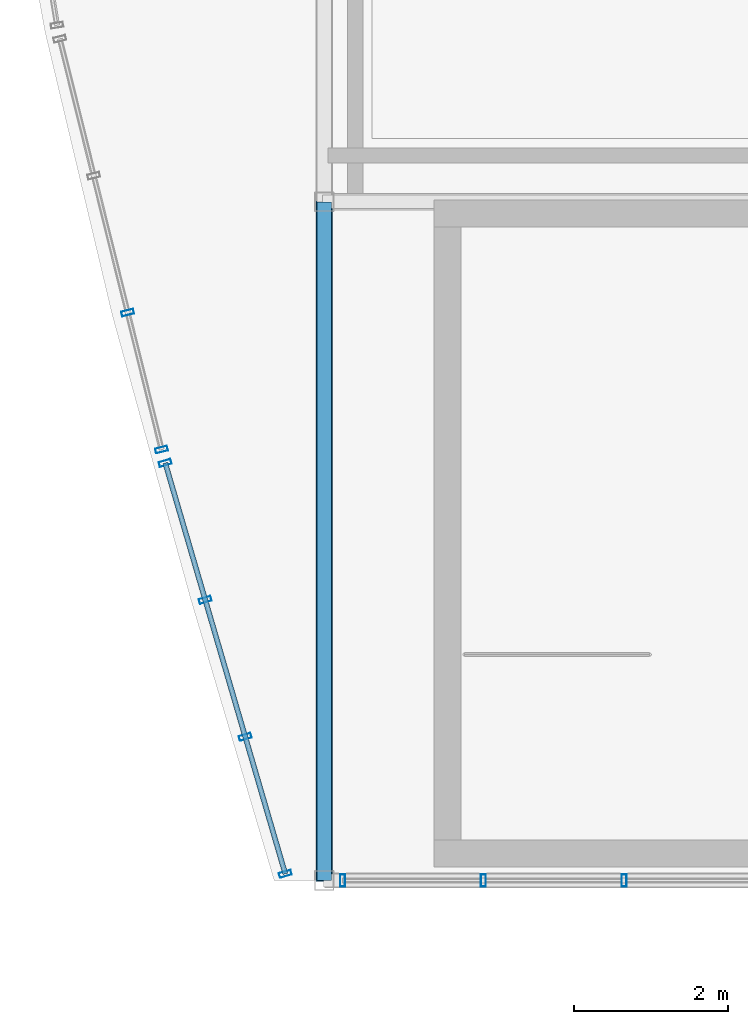
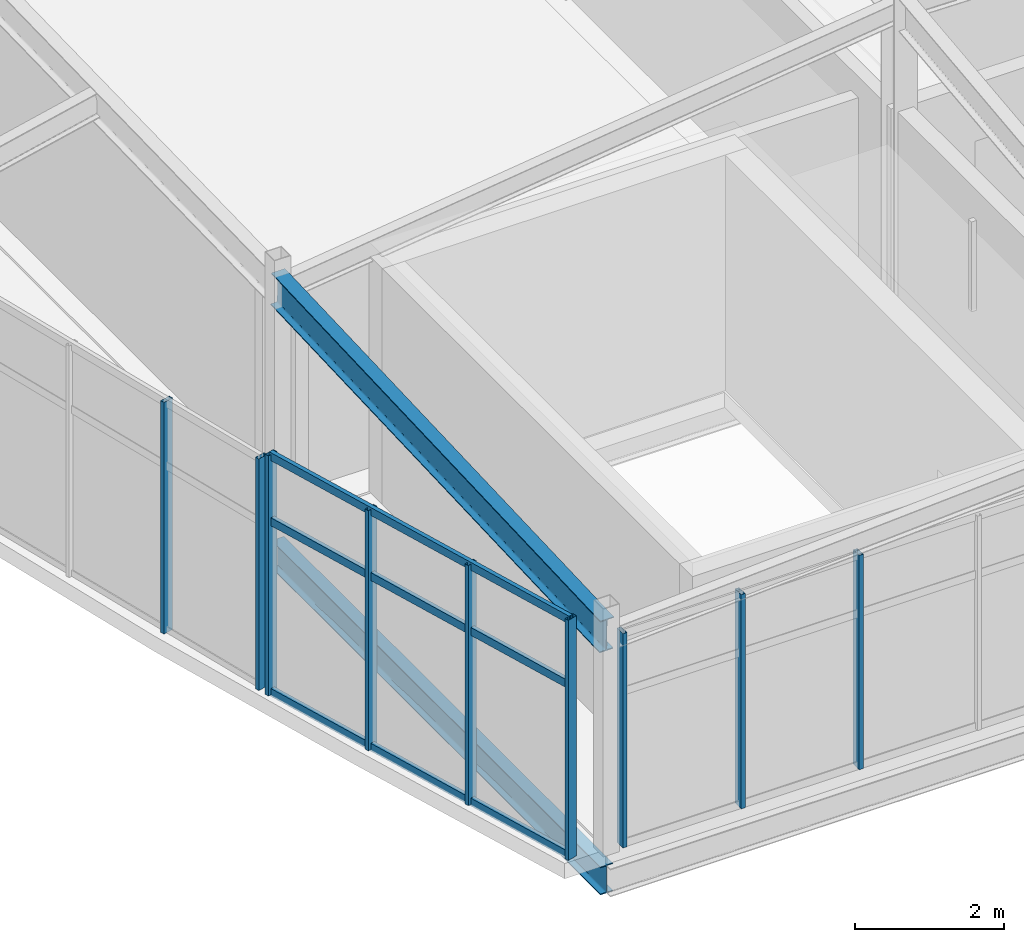
# One storey, part 15 of 114: 12 members, 2 beams, 3 elements without a shape of their own.
"""IFC4 building model written with IfcOpenShell, lengths in metres."""

import ifcopenshell
import ifcopenshell.guid

model = None  # the IFC model being written
_history = None  # IfcOwnerHistory: only IFC2X3 demands one
_inside = {}  # id of a spatial element -> (the spatial element, [elements in it])
_under = {}  # id of a project, library or spatial element -> (it, [spatial elements below it])
_declared = {}  # id of a project -> (the project, [libraries it declares])
_typed = {}  # id of a type object -> (the type object, [elements of that type])
_made_of = {}  # id of a material, layer set ... -> (it, [elements and type objects made of it])


def new_model(schema):
    """Start an empty IFC model of exactly this schema.

    Asked for "IFC4X3", IfcOpenShell would pick the latest addendum, in which some entities
    have other attributes; the version numbers below select the first issue.
    IFC2X3 requires an IfcOwnerHistory on every rooted entity: one is made here for all.
    """
    global model, _history
    if schema == "IFC4X3":
        model = ifcopenshell.file(schema_version=(4, 3, 0, 0))
    else:
        model = ifcopenshell.file(schema=schema)
    _inside.clear()
    _under.clear()
    _declared.clear()
    _typed.clear()
    _made_of.clear()
    _history = None
    if model.schema == "IFC2X3":
        org = make("IfcOrganization", Name="unknown")
        user = make(
            "IfcPersonAndOrganization",
            ThePerson=make("IfcPerson", FamilyName="unknown"),
            TheOrganization=org,
        )
        app = make(
            "IfcApplication",
            ApplicationDeveloper=org,
            Version="unknown",
            ApplicationFullName="unknown",
            ApplicationIdentifier="unknown",
        )
        _history = make(
            "IfcOwnerHistory",
            OwningUser=user,
            OwningApplication=app,
            ChangeAction="ADDED",
            CreationDate=0,
        )
    return model


def make(cls, **values):
    """One entity of the class cls with the attributes given. An attribute that is None is left unset."""
    return model.create_entity(
        cls, **{name: value for name, value in values.items() if value is not None}
    )


def rooted(cls, **values):
    """An entity with a GlobalId (a new one), such as an element, a storey or a relation."""
    return make(cls, GlobalId=ifcopenshell.guid.new(), OwnerHistory=_history, **values)


def si_unit(unit_type, name, prefix=None):
    """IfcSIUnit, for example si_unit("LENGTHUNIT", "METRE", prefix="MILLI")."""
    return make("IfcSIUnit", UnitType=unit_type, Prefix=prefix, Name=name)


def assignment(units):
    """IfcUnitAssignment: the units of a project."""
    return None if units is None else make("IfcUnitAssignment", Units=units)


def point(xyz):
    """IfcCartesianPoint."""
    return None if xyz is None else make("IfcCartesianPoint", Coordinates=xyz)


def direction(xyz):
    """IfcDirection."""
    return None if xyz is None else make("IfcDirection", DirectionRatios=xyz)


def frame(location, z_axis=None, x_axis=None):
    """IfcAxis2Placement3D, a coordinate frame: its origin and axes. An axis left out is left unset."""
    return make(
        "IfcAxis2Placement3D",
        Location=point(location),
        Axis=direction(z_axis),
        RefDirection=direction(x_axis),
    )


def frame_2d(location, x_axis=None):
    """IfcAxis2Placement2D, a coordinate frame in the plane: its origin and x axis."""
    return make(
        "IfcAxis2Placement2D", Location=point(location), RefDirection=direction(x_axis)
    )


def origin():
    """The frame at (0, 0, 0) with its axes left unset."""
    return frame((0.0, 0.0, 0.0))


def origin_2d():
    """The frame at (0, 0) in the plane with its x axis left unset."""
    return frame_2d((0.0, 0.0))


def place(relative_to, where):
    """IfcLocalPlacement: puts the frame where relative to a parent placement (None: the world)."""
    return make(
        "IfcLocalPlacement", PlacementRelTo=relative_to, RelativePlacement=where
    )


def context(
    kind, dimensions, precision=None, world=None, true_north=None, identifier=None
):
    """IfcGeometricRepresentationContext, for example the 3D "Model" context."""
    return make(
        "IfcGeometricRepresentationContext",
        ContextIdentifier=identifier,
        ContextType=kind,
        CoordinateSpaceDimension=dimensions,
        Precision=precision,
        WorldCoordinateSystem=world,
        TrueNorth=true_north,
    )


def subcontext(parent, identifier, kind, view, scale=None):
    """IfcGeometricRepresentationSubContext, for example "Body" below "Model"."""
    return make(
        "IfcGeometricRepresentationSubContext",
        ContextIdentifier=identifier,
        ContextType=kind,
        ParentContext=parent,
        TargetScale=scale,
        TargetView=view,
    )


def project(units=None, contexts=None):
    """IfcProject with its units and contexts."""
    return rooted(
        "IfcProject",
        Name="project",
        RepresentationContexts=contexts,
        UnitsInContext=assignment(units),
    )


def spatial(cls, under=None, at=None, **own):
    """A site, building, storey or space (cls), placed at a placement, below another one or the project."""
    s = rooted(cls, ObjectPlacement=at, **own)
    if under is not None:
        _under.setdefault(under.id(), (under, []))[1].append(s)
    return s


def profile(cls, at=None, kind="AREA", **sizes):
    """A parametric profile (cls). Its sizes go by their IFC names, for example OverallWidth=200.0."""
    return make(cls, ProfileType=kind, Position=at, **sizes)


def hollow_rectangle(**sizes):
    """IfcRectangleHollowProfileDef."""
    return profile("IfcRectangleHollowProfileDef", **sizes)


def i_section(**sizes):
    """IfcIShapeProfileDef."""
    return profile("IfcIShapeProfileDef", **sizes)


def extrude(swept, where, along, depth):
    """IfcExtrudedAreaSolid: the profile swept, set in the frame where, extruded along a direction by depth."""
    return make(
        "IfcExtrudedAreaSolid",
        SweptArea=swept,
        Position=where,
        ExtrudedDirection=direction(along),
        Depth=depth,
    )


def shape(context_of_items, identifier, shape_type, items):
    """IfcShapeRepresentation: the items that make up one representation, for example the "Body"."""
    return make(
        "IfcShapeRepresentation",
        ContextOfItems=context_of_items,
        RepresentationIdentifier=identifier,
        RepresentationType=shape_type,
        Items=items,
    )


def material(Name=None, Category=None):
    """IfcMaterial."""
    return make("IfcMaterial", Name=Name, Category=Category)


def layer(
    of_material, thickness, ventilated=None, Name=None, Category=None, Priority=None
):
    """IfcMaterialLayer: one layer of a wall or slab, of a material (None: an air gap)."""
    return make(
        "IfcMaterialLayer",
        Material=of_material,
        LayerThickness=thickness,
        IsVentilated=ventilated,
        Name=Name,
        Category=Category,
        Priority=Priority,
    )


def layer_set(layers, Name=None):
    """IfcMaterialLayerSet."""
    return make("IfcMaterialLayerSet", MaterialLayers=layers, LayerSetName=Name)


def material_profile(
    of_material, cross_section, Name=None, Category=None, Priority=None
):
    """IfcMaterialProfile: a cross section and its material."""
    return make(
        "IfcMaterialProfile",
        Name=Name,
        Material=of_material,
        Profile=cross_section,
        Priority=Priority,
        Category=Category,
    )


def profile_set(profiles, Name=None, composite=None):
    """IfcMaterialProfileSet."""
    return make(
        "IfcMaterialProfileSet",
        Name=Name,
        MaterialProfiles=profiles,
        CompositeProfile=composite,
    )


def made_of(thing, what):
    """Note that an element or type object is made of a material, layer set ...; save() writes the relation."""
    if what is not None:
        _made_of.setdefault(what.id(), (what, []))[1].append(thing)
    return thing


def type_object(cls, material=None, **own):
    """A type object (cls), such as IfcWallType, which elements share."""
    return made_of(rooted(cls, **own), material)


def element(
    cls,
    number,
    at=None,
    inside=None,
    cuts=None,
    type_object=None,
    material=None,
    context=None,
    identifier="Body",
    shape_type=None,
    held_by="IfcProductDefinitionShape",
    body=None,
    shapes=None,
    **own,
):
    """One element of the class cls, such as IfcWall. Its Tag is "e" and its number.

    at: its placement. inside: the storey or other place that contains it. cuts: it is an
    opening in that element (IfcRelVoidsElement). A single representation is given by context,
    identifier, shape_type and body (its items); several are given by shapes. held_by: the class
    of the entity that holds the representations. save() writes the other relations.
    """
    e = rooted(cls, Tag="e%d" % number, ObjectPlacement=at, **own)
    if body is not None:
        shapes = [shape(context, identifier, shape_type, body)]
    if shapes is not None:
        e.Representation = make(held_by, Representations=shapes)
    if inside is not None:
        _inside.setdefault(inside.id(), (inside, []))[1].append(e)
    if cuts is not None:
        rooted(
            "IfcRelVoidsElement", RelatingBuildingElement=cuts, RelatedOpeningElement=e
        )
    if type_object is not None:
        _typed.setdefault(type_object.id(), (type_object, []))[1].append(e)
    return made_of(e, material)


def aggregate(whole, parts):
    """IfcRelAggregates: a whole, such as a stair, and the parts it consists of."""
    return rooted("IfcRelAggregates", RelatingObject=whole, RelatedObjects=parts)


def save(model, path):
    """Write the relations noted so far, then the file.

    IfcRelAggregates (storeys below a building ...), IfcRelContainedInSpatialStructure (elements
    in a storey), IfcRelDefinesByType, IfcRelAssociatesMaterial and IfcRelDeclares: one each for
    every whole, place, type object, material and project.
    """
    for whole, parts in _under.values():
        aggregate(whole, parts)
    for where, things in _inside.values():
        rooted(
            "IfcRelContainedInSpatialStructure",
            RelatedElements=things,
            RelatingStructure=where,
        )
    for kind, things in _typed.values():
        rooted("IfcRelDefinesByType", RelatedObjects=things, RelatingType=kind)
    for what, things in _made_of.values():
        rooted("IfcRelAssociatesMaterial", RelatedObjects=things, RelatingMaterial=what)
    for by, libraries in _declared.values():
        rooted("IfcRelDeclares", RelatingContext=by, RelatedDefinitions=libraries)
    model.write(path)


model = new_model("IFC4")

# Units and contexts
model_context = context("Model", 3, precision=1e-05, world=origin(), true_north=direction((0.0, 1.0)))
body_context = subcontext(model_context, "Body", "Model", "MODEL_VIEW")
ifc_project = project(units=[si_unit("LENGTHUNIT", "METRE"), si_unit("AREAUNIT", "SQUARE_METRE"), si_unit("VOLUMEUNIT", "CUBIC_METRE"), si_unit("PLANEANGLEUNIT", "RADIAN"), si_unit("MASSUNIT", "GRAM", prefix="KILO")], contexts=[model_context])

# Site, building, storey
site_placement = place(None, origin())
site = spatial("IfcSite", under=ifc_project, at=site_placement, CompositionType="ELEMENT")
building_placement = place(site_placement, origin())
building = spatial("IfcBuilding", under=site, at=building_placement, Name="Chalmorin Arch Market", CompositionType="ELEMENT")
storey_placement = place(building_placement, frame((0.0, 0.0, 9.60009765625)))
storey = spatial("IfcBuildingStorey", under=building, at=storey_placement, Name="L02", CompositionType="ELEMENT", Elevation=9.60009765625)

# Curtain wall, members
ifc_material_1 = material(Name="Aluminium 6063-T6", Category="aluminium")
ifc_layer_1 = layer(ifc_material_1, 0.159912109375)
ifc_layer_set_1 = layer_set([ifc_layer_1], Name="Aluminium 6063-T6")
curtain_wall_type_1 = type_object("IfcCurtainWallType", Name="RiverfrontStorefrontCurtainWall-CW2-5550x3920", PredefinedType="NOTDEFINED", material=ifc_layer_set_1)
curtain_wall_1_placement = place(storey_placement, origin())
curtain_wall_1 = element("IfcCurtainWall", 1, at=curtain_wall_1_placement, inside=storey, type_object=curtain_wall_type_1, Name="CW-02-047", PredefinedType="NOTDEFINED")
ifc_material_profile_1 = material_profile(ifc_material_1, hollow_rectangle(XDim=0.06494140625, YDim=0.159912109375, WallThickness=0.00390625, at=origin_2d()), Name="ALU65X160X4")
ifc_profile_set_1 = profile_set([ifc_material_profile_1], Name="Aluminium 6063-T6")
member_type_1 = type_object("IfcMemberType", Name="CurtainWallMullion-65x160", PredefinedType="MULLION", material=ifc_profile_set_1)
member_1_placement = place(storey_placement, frame((-0.505126953125, 6.08642578125, 0.0), z_axis=(0.0, 0.0, 1.0), x_axis=(-0.275637355817, 0.961261695938, 0.0)))
member_1 = element("IfcMember", 2, at=member_1_placement, type_object=member_type_1, Name="ML-047-01", PredefinedType="MULLION", context=body_context, shape_type="SweptSolid", body=[
    extrude(hollow_rectangle(XDim=0.06494140625, YDim=0.159912109375, WallThickness=0.00390625, at=origin_2d()), origin(), (0.0, 0.0, 1.0), 3.9208984375),
])
member_2_placement = place(storey_placement, frame((-1.024169921875, 7.862060546875, 0.0), z_axis=(0.0, 0.0, 1.0), x_axis=(-0.275637355817, 0.961261695938, 0.0)))
member_2 = element("IfcMember", 3, at=member_2_placement, type_object=member_type_1, Name="ML-047-02", PredefinedType="MULLION", context=body_context, shape_type="SweptSolid", body=[
    extrude(hollow_rectangle(XDim=0.06494140625, YDim=0.159912109375, WallThickness=0.00390625, at=origin_2d()), origin(), (0.0, 0.0, 1.0), 3.9208984375),
])
member_3_placement = place(storey_placement, frame((-1.54296875, 9.637939453125, 0.0), z_axis=(0.0, 0.0, 1.0), x_axis=(-0.275637355817, 0.961261695938, 0.0)))
member_3 = element("IfcMember", 4, at=member_3_placement, type_object=member_type_1, Name="ML-047-03", PredefinedType="MULLION", context=body_context, shape_type="SweptSolid", body=[
    extrude(hollow_rectangle(XDim=0.06494140625, YDim=0.159912109375, WallThickness=0.00390625, at=origin_2d()), origin(), (0.0, 0.0, 1.0), 3.9208984375),
])
member_4_placement = place(storey_placement, frame((-2.061767578125, 11.41357421875, 0.0), z_axis=(0.0, 0.0, 1.0), x_axis=(-0.275637355817, 0.961261695938, 0.0)))
member_4 = element("IfcMember", 5, at=member_4_placement, type_object=member_type_1, Name="ML-047-04", PredefinedType="MULLION", context=body_context, shape_type="SweptSolid", body=[
    extrude(hollow_rectangle(XDim=0.06494140625, YDim=0.159912109375, WallThickness=0.00390625, at=origin_2d()), origin(), (0.0, 0.0, 1.0), 3.9208984375),
])

ifc_layer_2 = layer(ifc_material_1, 0.159912109375)
ifc_layer_set_2 = layer_set([ifc_layer_2], Name="Aluminium 6063-T6")
curtain_wall_type_2 = type_object("IfcCurtainWallType", Name="RiverfrontStorefrontCurtainWall-CW2-5490x3780", PredefinedType="NOTDEFINED", material=ifc_layer_set_2)
curtain_wall_2_placement = place(storey_placement, origin())
curtain_wall_2 = element("IfcCurtainWall", 6, at=curtain_wall_2_placement, inside=storey, type_object=curtain_wall_type_2, Name="CW-02-050", PredefinedType="NOTDEFINED")
member_5_placement = place(storey_placement, frame((-2.108642578125, 11.58740234375, 0.0), z_axis=(0.0, 0.0, 1.0), x_axis=(-0.2419218956, 0.970295726276, 0.0)))
member_5 = element("IfcMember", 7, at=member_5_placement, type_object=member_type_1, Name="ML-050-01", PredefinedType="MULLION", context=body_context, shape_type="SweptSolid", body=[
    extrude(hollow_rectangle(XDim=0.06494140625, YDim=0.159912109375, WallThickness=0.00390625, at=origin_2d()), origin(), (0.0, 0.0, 1.0), 3.781982421875),
])
member_6_placement = place(storey_placement, frame((-2.548583984375, 13.362548828125, 0.0), z_axis=(0.0, 0.0, 1.0), x_axis=(-0.2419218956, 0.970295726276, 0.0)))
member_6 = element("IfcMember", 8, at=member_6_placement, type_object=member_type_1, Name="ML-050-02", PredefinedType="MULLION", context=body_context, shape_type="SweptSolid", body=[
    extrude(hollow_rectangle(XDim=0.06494140625, YDim=0.159912109375, WallThickness=0.00390625, at=origin_2d()), origin(), (0.0, 0.0, 1.0), 3.781982421875),
])
aggregate(curtain_wall_2, [member_5, member_6])

ifc_layer_3 = layer(ifc_material_1, 0.159912109375)
ifc_layer_set_3 = layer_set([ifc_layer_3], Name="Aluminium 6063-T6")
curtain_wall_type_3 = type_object("IfcCurtainWallType", Name="RiverfrontStorefrontCurtainWall-CW2-9130x3500", PredefinedType="NOTDEFINED", material=ifc_layer_set_3)
curtain_wall_3_placement = place(storey_placement, origin())
curtain_wall_3 = element("IfcCurtainWall", 9, at=curtain_wall_3_placement, inside=storey, type_object=curtain_wall_type_3, Name="CW-02-094", PredefinedType="NOTDEFINED")
member_7_placement = place(storey_placement, frame((0.237060546875, 6.0, 0.0), z_axis=(0.0, 0.0, 1.0), x_axis=(1.0, 0.0, 0.0)))
member_7 = element("IfcMember", 10, at=member_7_placement, type_object=member_type_1, Name="ML-094-01", PredefinedType="MULLION", context=body_context, shape_type="SweptSolid", body=[
    extrude(hollow_rectangle(XDim=0.06494140625, YDim=0.159912109375, WallThickness=0.00390625, at=origin_2d()), origin(), (0.0, 0.0, 1.0), 3.5),
])
member_8_placement = place(storey_placement, frame((2.062255859375, 6.0, 0.0), z_axis=(0.0, 0.0, 1.0), x_axis=(1.0, 0.0, 0.0)))
member_8 = element("IfcMember", 11, at=member_8_placement, type_object=member_type_1, Name="ML-094-02", PredefinedType="MULLION", context=body_context, shape_type="SweptSolid", body=[
    extrude(hollow_rectangle(XDim=0.06494140625, YDim=0.159912109375, WallThickness=0.00390625, at=origin_2d()), origin(), (0.0, 0.0, 1.0), 3.5),
])
member_9_placement = place(storey_placement, frame((3.887451171875, 6.0, 0.0), z_axis=(0.0, 0.0, 1.0), x_axis=(1.0, 0.0, 0.0)))
member_9 = element("IfcMember", 12, at=member_9_placement, type_object=member_type_1, Name="ML-094-03", PredefinedType="MULLION", context=body_context, shape_type="SweptSolid", body=[
    extrude(hollow_rectangle(XDim=0.06494140625, YDim=0.159912109375, WallThickness=0.00390625, at=origin_2d()), origin(), (0.0, 0.0, 1.0), 3.5),
])
aggregate(curtain_wall_3, [member_7, member_8, member_9])

# Member
ifc_material_profile_2 = material_profile(ifc_material_1, hollow_rectangle(XDim=0.06494140625, YDim=0.1298828125, WallThickness=0.00390625, at=origin_2d()), Name="ALU65X130X4")
ifc_profile_set_2 = profile_set([ifc_material_profile_2], Name="Aluminium 6063-T6")
member_type_2 = type_object("IfcMemberType", Name="CurtainWallTransom-65x130", PredefinedType="USERDEFINED", material=ifc_profile_set_2)
member_10_placement = place(storey_placement, frame((-0.505126953125, 6.08642578125, 0.034912109375), z_axis=(-0.280479701461, 0.959859957008, 0.0), x_axis=(-0.959859957008, -0.280479701461, 0.0)))
member_10 = element("IfcMember", 13, at=member_10_placement, type_object=member_type_2, Name="TR-047-01", ObjectType="TRANSOM", PredefinedType="USERDEFINED", context=body_context, shape_type="SweptSolid", body=[
    extrude(hollow_rectangle(XDim=0.06494140625, YDim=0.1298828125, WallThickness=0.00390625, at=origin_2d()), origin(), (0.0, 0.0, 1.0), 5.5498046875),
])

member_11_placement = place(storey_placement, frame((-0.505126953125, 6.08642578125, 2.822998046875), z_axis=(-0.280479701461, 0.959859957008, 0.0), x_axis=(-0.959859957008, -0.280479701461, 0.0)))
member_11 = element("IfcMember", 14, at=member_11_placement, type_object=member_type_2, Name="TR-047-02", ObjectType="TRANSOM", PredefinedType="USERDEFINED", context=body_context, shape_type="SweptSolid", body=[
    extrude(hollow_rectangle(XDim=0.06494140625, YDim=0.1298828125, WallThickness=0.00390625, at=origin_2d()), origin(), (0.0, 0.0, 1.0), 5.5498046875),
])

member_12_placement = place(storey_placement, frame((-0.505126953125, 6.08642578125, 3.885986328125), z_axis=(-0.280479701461, 0.959859957008, 0.0), x_axis=(-0.959859957008, -0.280479701461, 0.0)))
member_12 = element("IfcMember", 15, at=member_12_placement, type_object=member_type_2, Name="TR-047-03", ObjectType="TRANSOM", PredefinedType="USERDEFINED", context=body_context, shape_type="SweptSolid", body=[
    extrude(hollow_rectangle(XDim=0.06494140625, YDim=0.1298828125, WallThickness=0.00390625, at=origin_2d()), origin(), (0.0, 0.0, 1.0), 5.5498046875),
])

aggregate(curtain_wall_1, [member_1, member_2, member_3, member_4, member_10, member_11, member_12])

# Beams
ifc_material_2 = material(Name="Steel A992 Grade 50", Category="steel")
ifc_material_profile_3 = material_profile(ifc_material_2, i_section(OverallWidth=0.19091796875, OverallDepth=0.45703125, WebThickness=0.009033203125, FlangeThickness=0.014404296875, FilletRadius=0.02001953125, at=origin_2d()), Name="W18X50")
ifc_profile_set_3 = profile_set([ifc_material_profile_3], Name="Steel A992 Grade 50")
beam_type_1 = type_object("IfcBeamType", Name="PerimeterSpandrelBeam-W18X50", PredefinedType="SPANDREL", material=ifc_profile_set_3)
beam_1_placement = place(storey_placement, frame((0.0, 6.0, -0.480712890625), z_axis=(0.0, 1.0, 0.0), x_axis=(-1.0, 0.0, 0.0)))
element("IfcBeam", 16, at=beam_1_placement, inside=storey, type_object=beam_type_1, Name="SP-W18-1136", PredefinedType="SPANDREL", context=body_context, shape_type="SweptSolid", body=[
    extrude(i_section(OverallWidth=0.19091796875, OverallDepth=0.45703125, WebThickness=0.009033203125, FlangeThickness=0.014404296875, FilletRadius=0.02001953125, at=origin_2d()), origin(), (0.0, 0.0, 1.0), 8.800048828125),
])
ifc_material_profile_4 = material_profile(ifc_material_2, i_section(OverallWidth=0.208984375, OverallDepth=0.532958984375, WebThickness=0.01025390625, FlangeThickness=0.015625, FilletRadius=0.02197265625, at=origin_2d()), Name="W21X62")
ifc_profile_set_4 = profile_set([ifc_material_profile_4], Name="Steel A992 Grade 50")
beam_type_2 = type_object("IfcBeamType", Name="PrimarySteelGirder-W21X62", PredefinedType="BEAM", material=ifc_profile_set_4)
beam_2_placement = place(storey_placement, frame((0.0, 6.0, 3.505859375), z_axis=(0.0, 0.999205160055, 0.039862866421), x_axis=(-1.0, 0.0, 0.0)))
element("IfcBeam", 17, at=beam_2_placement, inside=storey, type_object=beam_type_2, Name="BG-W21B-1523", PredefinedType="BEAM", context=body_context, shape_type="SweptSolid", body=[
    extrude(i_section(OverallWidth=0.208984375, OverallDepth=0.532958984375, WebThickness=0.01025390625, FlangeThickness=0.015625, FilletRadius=0.02197265625, at=origin_2d()), origin(), (0.0, 0.0, 1.0), 8.80712890625),
])

save(model, "model.ifc")
